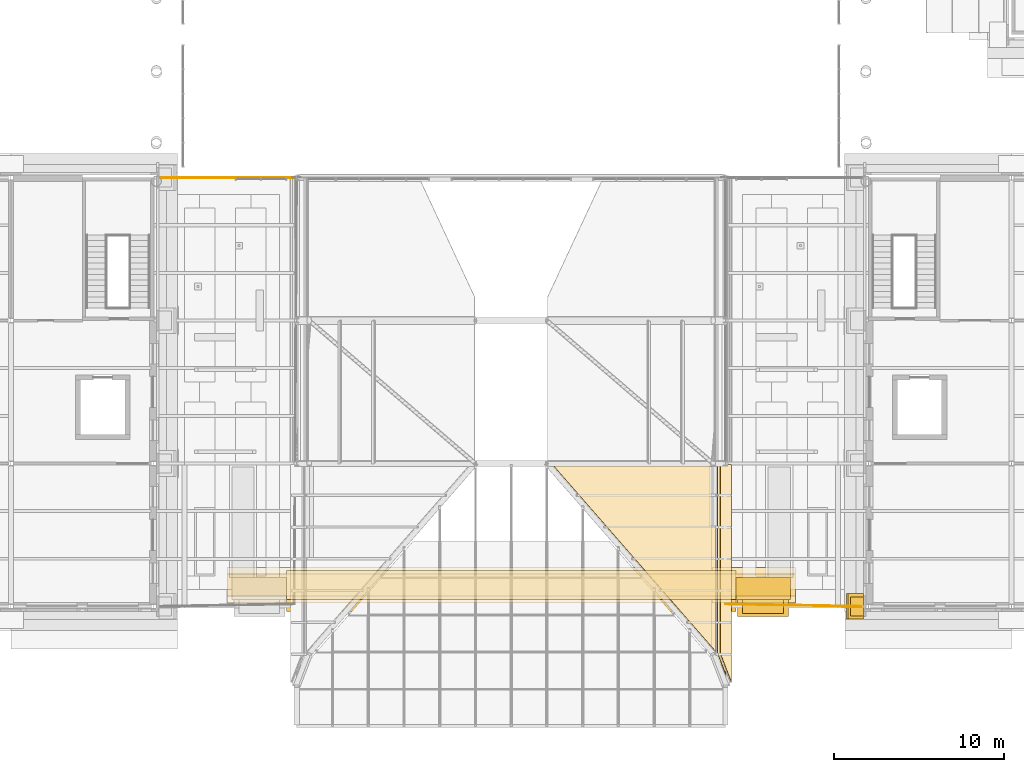
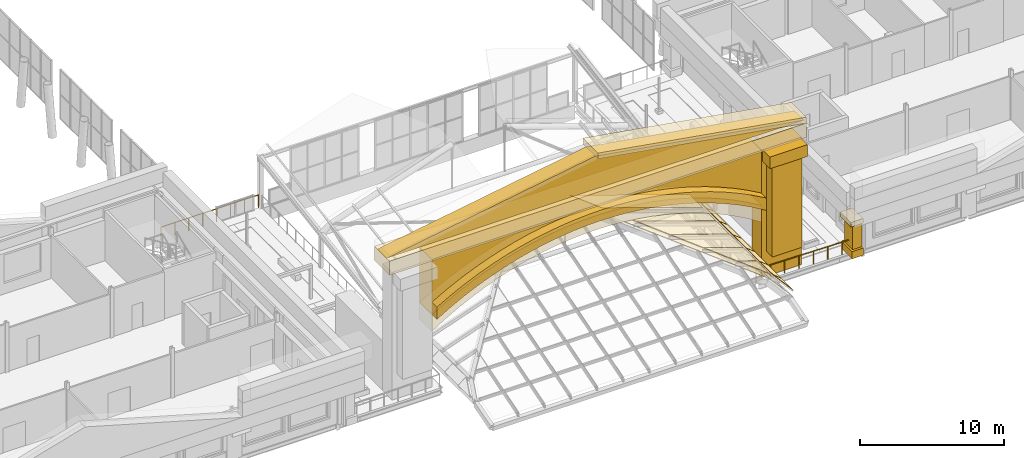
# One storey, part 58 of 76: 27 coverings, 2 railings.
"""IFC4 building model written with IfcOpenShell, lengths in metres."""

from ifc_helpers import new_model, si_unit, direction, frame, origin, origin_2d, place, context, subcontext, project, spatial, polyline, rectangle, circle, outline, extrude, material, layer, layer_set, type_object, element, save


model = new_model("IFC4")

# Units and contexts
model_context = context("Model", 3, precision=1e-05, world=origin(), true_north=direction((0.0, 1.0)))
body_context = subcontext(model_context, "Body", "Model", "MODEL_VIEW")
ifc_project = project(units=[si_unit("LENGTHUNIT", "METRE"), si_unit("AREAUNIT", "SQUARE_METRE"), si_unit("VOLUMEUNIT", "CUBIC_METRE"), si_unit("PLANEANGLEUNIT", "RADIAN"), si_unit("MASSUNIT", "GRAM", prefix="KILO")], contexts=[model_context])

# Site, building, storey
site_placement = place(None, origin())
site = spatial("IfcSite", under=ifc_project, at=site_placement, CompositionType="ELEMENT")
building_placement = place(site_placement, origin())
building = spatial("IfcBuilding", under=site, at=building_placement, Name="Sava Quay Ferry Terminal", CompositionType="ELEMENT")
storey_placement = place(building_placement, frame((0.0, 0.0, 10.800048828125)))
storey = spatial("IfcBuildingStorey", under=building, at=storey_placement, Name="L02", CompositionType="ELEMENT", Elevation=10.800048828125)

# Railings
ifc_material_1 = material(Name="Steel S355", Category="steel")
railing_type = type_object("IfcRailingType", Name="Edge guard 1100", PredefinedType="GUARDRAIL", material=ifc_material_1)
railing_1_placement = place(storey_placement, frame((42.419921875, 50.39990234375, 0.0)))
element("IfcRailing", 1, at=railing_1_placement, inside=storey, type_object=railing_type, Name="Terrace edge guard", PredefinedType="GUARDRAIL", context=body_context, shape_type="SweptSolid", body=[
    extrude(circle(Radius=0.02392578125, at=origin_2d()), frame((0.0, 0.0, 1.076171875), z_axis=(1.0, 0.0, 0.0), x_axis=(0.0, 1.0, 0.0)), (0.0, 0.0, 1.0), 7.820068359375),
    extrude(circle(Radius=0.02099609375, at=origin_2d()), origin(), (0.0, 0.0, 1.0), 1.052001953125),
    extrude(circle(Radius=0.02099609375, at=origin_2d()), frame((1.1171875, 0.0, 0.0)), (0.0, 0.0, 1.0), 1.052001953125),
    extrude(circle(Radius=0.02099609375, at=origin_2d()), frame((2.234375, 0.0, 0.0)), (0.0, 0.0, 1.0), 1.052001953125),
    extrude(circle(Radius=0.02099609375, at=origin_2d()), frame((3.3515625, 0.0, 0.0)), (0.0, 0.0, 1.0), 1.052001953125),
    extrude(circle(Radius=0.02099609375, at=origin_2d()), frame((4.468505859375, 0.0, 0.0)), (0.0, 0.0, 1.0), 1.052001953125),
    extrude(circle(Radius=0.02099609375, at=origin_2d()), frame((5.585693359375, 0.0, 0.0)), (0.0, 0.0, 1.0), 1.052001953125),
    extrude(circle(Radius=0.02099609375, at=origin_2d()), frame((6.702880859375, 0.0, 0.0)), (0.0, 0.0, 1.0), 1.052001953125),
    extrude(circle(Radius=0.02099609375, at=origin_2d()), frame((7.820068359375, 0.0, 0.0)), (0.0, 0.0, 1.0), 1.052001953125),
])
railing_2_placement = place(storey_placement, frame((83.580078125, 25.199951171875, 0.0)))
element("IfcRailing", 2, at=railing_2_placement, inside=storey, type_object=railing_type, Name="Terrace edge guard", PredefinedType="GUARDRAIL", context=body_context, shape_type="SweptSolid", body=[
    extrude(circle(Radius=0.02392578125, at=origin_2d()), frame((0.0, 0.0, 1.076171875), z_axis=(-0.999845840674, 0.017558328108, 0.0), x_axis=(-0.017558328108, -0.999845840674, 0.0)), (0.0, 0.0, 1.0), 7.981201171875),
    extrude(circle(Radius=0.02099609375, at=origin_2d()), origin(), (0.0, 0.0, 1.0), 1.052001953125),
    extrude(circle(Radius=0.02099609375, at=origin_2d()), frame((-1.139892578125, 0.02001953125, 0.0)), (0.0, 0.0, 1.0), 1.052001953125),
    extrude(circle(Radius=0.02099609375, at=origin_2d()), frame((-2.280029296875, 0.0400390625, 0.0)), (0.0, 0.0, 1.0), 1.052001953125),
    extrude(circle(Radius=0.02099609375, at=origin_2d()), frame((-3.419921875, 0.06005859375, 0.0)), (0.0, 0.0, 1.0), 1.052001953125),
    extrude(circle(Radius=0.02099609375, at=origin_2d()), frame((-4.56005859375, 0.080078125, 0.0)), (0.0, 0.0, 1.0), 1.052001953125),
    extrude(circle(Radius=0.02099609375, at=origin_2d()), frame((-5.699951171875, 0.10009765625, 0.0)), (0.0, 0.0, 1.0), 1.052001953125),
    extrude(circle(Radius=0.02099609375, at=origin_2d()), frame((-6.840087890625, 0.1201171875, 0.0)), (0.0, 0.0, 1.0), 1.052001953125),
    extrude(circle(Radius=0.02099609375, at=origin_2d()), frame((-7.97998046875, 0.14013671875, 0.0)), (0.0, 0.0, 1.0), 1.052001953125),
])

# Coverings
ifc_material_2 = material(Name="Limestone Mutalj", Category="masonry")
ifc_layer_1 = layer(ifc_material_2, 1.800048828125)
ifc_layer_set_1 = layer_set([ifc_layer_1], Name="Limestone Mutalj")
covering_type_1 = type_object("IfcCoveringType", Name="Frontispiece arch ring 1200", PredefinedType="CLADDING", material=ifc_layer_set_1)
covering_1_placement = place(storey_placement, frame((49.800048828125, 25.60009765625, 4.699951171875), z_axis=(0.0, -1.0, 0.0), x_axis=(0.846612356411, 0.0, 0.532210031822)))
element("IfcCovering", 3, at=covering_1_placement, inside=storey, type_object=covering_type_1, Name="Frontispiece arch ring", PredefinedType="CLADDING", context=body_context, shape_type="SweptSolid", body=[
    extrude(outline(polyline([(0.0, 0.0), (1.2991229188847893, -1.1102230246251565e-16), (2.555964082874732, -0.06771837172322348), (3.7738250199246073, -0.1974444843945411), (4.955357587540194, -0.3845011695879599), (6.103443918367348, -0.6252211385563666), (7.21922983654402, -0.916864213482238), (8.304558001997666, -1.2574166453770768), (9.360521063156462, -1.6446815754528137), (10.38782186617918, -2.0770822223308603), (11.387263598274878, -2.554258376781334), (12.359212479042702, -3.0747100158056737), (13.304081893422305, -3.638697007583481), (14.22192501712346, -4.245676033085299), (15.112275289496743, -4.895930543160984), (15.975546095481805, -5.589720405990135), (16.81054444560019, -6.328025908212113), (17.617293922522155, -7.111726995416003), (18.39467829514927, -7.942140580800789), (19.1411915301137, -8.82120365497494), (19.85581773736731, -9.75144970328616), (20.536584322892825, -10.735099167192764), (21.18143592392371, -11.776339071801072), (21.78730729801453, -12.879586717357475), (22.350483532270847, -14.0502928664575), (23.11020815533276, -12.841761995379137), (22.5229941144634, -11.709293953197104), (21.89711289054335, -10.637876947994057), (21.235499791928234, -9.62330037199343), (20.540700324704293, -8.661973694828138), (19.814250115278867, -7.750536661271176), (19.057991823579417, -6.886975522334047), (18.27281140556429, -6.06896348513888), (17.459825092331915, -5.295183636486685), (16.62014911498072, -4.564319063178478), (15.753500022660852, -3.875903204564829), (14.861200738940566, -3.2287490815365496), (13.94270794479041, -2.622803518383866), (12.998488200859807, -2.057783064256924), (12.028488331438988, -1.5342310381851796), (11.032424885678095, -1.0516808795192034), (10.009801709888183, -0.6118393037273862), (8.960075485039798, -0.2146531350999541), (7.8825433649741665, 0.1383008449845038), (6.776502503532512, 0.445445855147399), (5.640240174877178, 0.704974838870061), (4.4727404889600155, 0.914354310804794), (3.2716410494943697, 1.0707437520837921), (2.0348097353336616, 1.1702927641603706), (0.7597246230619139, 1.2085308710783622), (0.0, 0.0)])), origin(), (0.0, 0.0, -1.0), 1.699951171875),
])
ifc_material_3 = material(Name="Limestone Mutalj", Category="masonry")
ifc_layer_2 = layer(ifc_material_3, 0.699951171875)
ifc_layer_set_2 = layer_set([ifc_layer_2], Name="Limestone Mutalj")
covering_type_2 = type_object("IfcCoveringType", Name="Frontispiece archivolt 900", PredefinedType="CLADDING", material=ifc_layer_set_2)
covering_2_placement = place(storey_placement, frame((49.800048828125, 24.89990234375, 6.12744140625), z_axis=(0.0, -1.0, 0.0), x_axis=(0.862185024397, 0.0, 0.50659350934)))
element("IfcCovering", 4, at=covering_2_placement, inside=storey, type_object=covering_type_2, Name="Frontispiece archivolt", PredefinedType="CLADDING", context=body_context, shape_type="SweptSolid", body=[
    extrude(outline(polyline([(0.0, 0.0), (1.275658338411084, -1.1102230246251565e-16), (2.514917874639463, -0.06243001970966966), (3.720165395470233, -0.1827459968678582), (4.893416647520516, -0.3570353523855798), (6.0369478204116245, -0.5823880305139895), (7.151698405978019, -0.8562412328431637), (8.239326193561057, -1.1767373755778654), (9.300486449161957, -1.542279317927051), (10.335834438781934, -1.9512699190996767), (11.345914831258423, -2.403746044817001), (12.33117239820192, -2.8979868742319894), (13.29190444833788, -3.4344502618473474), (14.228147847387557, -4.012591538825638), (15.139444740848257, -4.632708013892314), (16.026339797557405, -5.294836552768638), (16.887546268341623, -6.000203256077679), (17.723361461926363, -6.749265978322141), (18.532709123528964, -7.543374500181088), (19.31451299836676, -8.383878602333578), (20.06795727466129, -9.273130588798818), (20.791260483015204, -10.21319853776276), (21.482988411370073, -11.207487225198221), (22.14070432432733, -12.2596618700822), (22.761600446320443, -13.374019174563866), (23.29515620786694, -12.465946372989649), (22.659171119042885, -11.377269384176053), (21.98871616031852, -10.34677566153643), (21.28622806709241, -9.370799986093772), (20.553896214651132, -8.446098127652528), (19.79290745494113, -7.569686299021323), (19.00491957730377, -6.739706916404926), (18.190377353349533, -5.954439158956299), (17.35048071791708, -5.21232275160566), (16.48605856567709, -4.512428902455387), (15.597184628072078, -3.8536682738306136), (14.684527253995476, -3.2358672370618784), (13.747912814777823, -2.6583574432557535), (12.787551804809839, -2.12126257246823), (11.803654718482244, -1.6247063047553003), (10.795553206901618, -1.1688622687864259), (9.763420898737413, -0.7543988134550315), (8.706342084984229, -0.3819105562120231), (7.623908859752825, -0.052573649067002126), (6.515342276985995, 0.2318042727982661), (5.379355587510357, 0.4699971087607109), (4.215132979547439, 0.6596525548011305), (3.020645623587913, 0.7982815439521229), (1.794125133126638, 0.8823924859061469), (0.5335557615464934, 0.908072801574217), (0.0, 0.0)])), origin(), (0.0, 0.0, -1.0), 0.699951171875),
])
ifc_material_4 = material(Name="Limestone Mutalj", Category="masonry")
ifc_layer_3 = layer(ifc_material_4, 1.800048828125)
ifc_layer_set_3 = layer_set([ifc_layer_3], Name="Limestone Mutalj")
covering_type_3 = type_object("IfcCoveringType", Name="Frontispiece attic 900", PredefinedType="CLADDING", material=ifc_layer_set_3)
covering_3_placement = place(storey_placement, frame((49.800048828125, 25.60009765625, 6.12744140625), z_axis=(0.0, -1.0, 0.0), x_axis=(0.862185024397, 0.0, 0.50659350934)))
element("IfcCovering", 5, at=covering_3_placement, inside=storey, type_object=covering_type_3, Name="Frontispiece attic", PredefinedType="CLADDING", context=body_context, shape_type="SweptSolid", body=[
    extrude(outline(polyline([(0.0, 0.0), (1.275658338411084, -1.1102230246251565e-16), (2.514917874639463, -0.06243001970966966), (3.720165395470233, -0.1827459968678582), (4.893416647520516, -0.3570353523855798), (6.0369478204116245, -0.5823880305139895), (7.151698405978019, -0.8562412328431637), (8.239326193561057, -1.1767373755778654), (9.300486449161957, -1.542279317927051), (10.335834438781934, -1.9512699190996767), (11.345914831258423, -2.403746044817001), (12.33117239820192, -2.8979868742319894), (13.29190444833788, -3.4344502618473474), (14.228147847387557, -4.012591538825638), (15.139444740848257, -4.632708013892314), (16.026339797557405, -5.294836552768638), (16.887546268341623, -6.000203256077679), (17.723361461926363, -6.749265978322141), (18.532709123528964, -7.543374500181088), (19.31451299836676, -8.383878602333578), (20.06795727466129, -9.273130588798818), (20.791260483015204, -10.21319853776276), (21.482988411370073, -11.207487225198221), (22.14070432432733, -12.2596618700822), (22.761600446320443, -13.374019174563866), (25.128713037938045, -9.345367030537687), (2.3671125916176026, 4.0286521440261795), (0.0, 0.0)])), origin(), (0.0, 0.0, -1.0), 1.699951171875),
])
ifc_material_5 = material(Name="Limestone Mutalj", Category="masonry")
ifc_layer_4 = layer(ifc_material_5, 0.800048828125)
ifc_layer_set_4 = layer_set([ifc_layer_4], Name="Limestone Mutalj")
covering_type_4 = type_object("IfcCoveringType", Name="Frontispiece engaged pilaster 2400", PredefinedType="CLADDING", material=ifc_layer_set_4)
covering_4_placement = place(storey_placement, frame((77.800048828125, 25.199951171875, 2.10009765625), z_axis=(0.0, 0.0, 1.0), x_axis=(1.0, 0.0, 0.0)))
element("IfcCovering", 6, at=covering_4_placement, inside=storey, type_object=covering_type_4, Name="Frontispiece engaged pilaster", PredefinedType="CLADDING", context=body_context, shape_type="SweptSolid", body=[
    extrude(rectangle(XDim=2.39990234375, YDim=0.800048828125, at=origin_2d()), origin(), (0.0, 0.0, 1.0), 7.699951171875),
])
ifc_material_6 = material(Name="Limestone Mutalj", Category="masonry")
ifc_layer_5 = layer(ifc_material_6, 2.39990234375)
ifc_layer_set_5 = layer_set([ifc_layer_5], Name="Limestone Mutalj")
covering_type_5 = type_object("IfcCoveringType", Name="Frontispiece entablature 1200", PredefinedType="MOLDING", material=ifc_layer_set_5)
covering_5_placement = place(storey_placement, frame((63.0, 26.449951171875, 10.7998046875), z_axis=(0.0, 0.0, 1.0), x_axis=(1.0, 0.0, 0.0)))
element("IfcCovering", 7, at=covering_5_placement, inside=storey, type_object=covering_type_5, Name="Frontispiece entablature", PredefinedType="MOLDING", context=body_context, shape_type="SweptSolid", body=[
    extrude(rectangle(XDim=33.39990234375, YDim=2.10009765625, at=origin_2d()), origin(), (0.0, 0.0, 1.0), 1.199951171875),
])
ifc_material_7 = material(Name="Limestone Mutalj", Category="masonry")
ifc_layer_6 = layer(ifc_material_7, 1.0)
ifc_layer_set_6 = layer_set([ifc_layer_6], Name="Limestone Mutalj")
covering_type_6 = type_object("IfcCoveringType", Name="Frontispiece pilaster capital 3000", PredefinedType="MOLDING", material=ifc_layer_set_6)
covering_6_placement = place(storey_placement, frame((77.800048828125, 25.10009765625, 9.800048828125), z_axis=(0.0, 0.0, 1.0), x_axis=(1.0, 0.0, 0.0)))
element("IfcCovering", 8, at=covering_6_placement, inside=storey, type_object=covering_type_6, Name="Frontispiece pilaster capital", PredefinedType="MOLDING", context=body_context, shape_type="SweptSolid", body=[
    extrude(rectangle(XDim=3.0, YDim=1.0, at=origin_2d()), origin(), (0.0, 0.0, 1.0), 1.0),
])
ifc_material_8 = material(Name="Limestone Mutalj", Category="masonry")
ifc_layer_7 = layer(ifc_material_8, 1.300048828125)
ifc_layer_set_7 = layer_set([ifc_layer_7], Name="Limestone Mutalj")
covering_type_7 = type_object("IfcCoveringType", Name="Frontispiece pylon 3200", PredefinedType="CLADDING", material=ifc_layer_set_7)
covering_7_placement = place(storey_placement, frame((77.800048828125, 26.25, 0.0), z_axis=(0.0, 0.0, 1.0), x_axis=(1.0, 0.0, 0.0)))
element("IfcCovering", 9, at=covering_7_placement, inside=storey, type_object=covering_type_7, Name="Frontispiece pylon", PredefinedType="CLADDING", context=body_context, shape_type="SweptSolid", body=[
    extrude(rectangle(XDim=3.199951171875, YDim=1.300048828125, at=origin_2d()), origin(), (0.0, 0.0, 1.0), 10.800048828125),
])
ifc_material_9 = material(Name="Limestone Mutalj", Category="masonry")
ifc_layer_8 = layer(ifc_material_9, 2.39990234375)
ifc_layer_set_8 = layer_set([ifc_layer_8], Name="Limestone Mutalj")
covering_type_8 = type_object("IfcCoveringType", Name="Frontispiece raking cornice 2400", PredefinedType="MOLDING", material=ifc_layer_set_8)
covering_8_placement = place(storey_placement, frame((63.0, 25.39990234375, 14.800048828125), z_axis=(0.0, -1.0, 0.0), x_axis=(0.986233299246, 0.0, -0.165359848385)))
element("IfcCovering", 10, at=covering_8_placement, inside=storey, type_object=covering_type_8, Name="Frontispiece raking cornice", PredefinedType="MOLDING", context=body_context, shape_type="SweptSolid", body=[
    extrude(outline(polyline([(0.0, 0.0), (16.933063591178456, 0.0), (16.850383666986126, 0.4931166496231403), (-0.08267992419232778, 0.4931166496231404), (0.0, 0.0)])), origin(), (0.0, 0.0, -1.0), 2.10009765625),
])
ifc_material_10 = material(Name="Limestone Mutalj", Category="masonry")
ifc_layer_9 = layer(ifc_material_10, 1.60009765625)
ifc_layer_set_9 = layer_set([ifc_layer_9], Name="Limestone Mutalj")
covering_type_9 = type_object("IfcCoveringType", Name="Frontispiece tympanum 1600", PredefinedType="CLADDING", material=ifc_layer_set_9)
covering_9_placement = place(storey_placement, frame((46.300048828125, 25.800048828125, 12.0), z_axis=(0.0, -1.0, 0.0), x_axis=(1.0, 0.0, 0.0)))
element("IfcCovering", 11, at=covering_9_placement, inside=storey, type_object=covering_type_9, Name="Frontispiece tympanum", PredefinedType="CLADDING", context=body_context, shape_type="SweptSolid", body=[
    extrude(outline(polyline([(0.0, 0.0), (33.39990234375, 0.0), (16.699951171875, 2.800048828125), (0.0, 0.0)])), origin(), (0.0, 0.0, -1.0), 1.300048828125),
])
ifc_material_11 = material(Name="Limestone Mutalj", Category="masonry")
ifc_layer_10 = layer(ifc_material_11, 0.89990234375)
ifc_layer_set_10 = layer_set([ifc_layer_10], Name="Limestone Mutalj")
covering_type_10 = type_object("IfcCoveringType", Name="Giant-order pilaster base 1500", PredefinedType="MOLDING", material=ifc_layer_set_10)
covering_10_placement = place(storey_placement, frame((83.25, 25.199951171875, 0.0), z_axis=(0.0, 0.0, 1.0), x_axis=(1.0, 0.0, 0.0)))
element("IfcCovering", 12, at=covering_10_placement, inside=storey, type_object=covering_type_10, Name="Giant-order pilaster base", PredefinedType="MOLDING", context=body_context, shape_type="SweptSolid", body=[
    extrude(rectangle(XDim=0.89990234375, YDim=1.5, at=origin_2d()), origin(), (0.0, 0.0, 1.0), 0.60009765625),
])
ifc_material_12 = material(Name="Limestone Mutalj", Category="masonry")
ifc_layer_11 = layer(ifc_material_12, 0.75)
ifc_layer_set_11 = layer_set([ifc_layer_11], Name="Limestone Mutalj")
covering_type_11 = type_object("IfcCoveringType", Name="Giant-order pilaster shaft 1100", PredefinedType="CLADDING", material=ifc_layer_set_11)
covering_11_placement = place(storey_placement, frame((83.324951171875, 25.199951171875, 0.599853515625), z_axis=(0.0, 0.0, 1.0), x_axis=(1.0, 0.0, 0.0)))
element("IfcCovering", 13, at=covering_11_placement, inside=storey, type_object=covering_type_11, Name="Giant-order pilaster", PredefinedType="CLADDING", context=body_context, shape_type="SweptSolid", body=[
    extrude(rectangle(XDim=0.75, YDim=1.10009765625, at=origin_2d()), origin(), (0.0, 0.0, 1.0), 2.10009765625),
])
ifc_material_13 = material(Name="Glulam GL28h", Category="wood")
ifc_layer_12 = layer(ifc_material_13, 0.06005859375)
ifc_layer_set_12 = layer_set([ifc_layer_12], Name="Glulam GL28h")
covering_type_12 = type_object("IfcCoveringType", Name="Glulam soffit lining 60", PredefinedType="CEILING", material=ifc_layer_set_12)
covering_12_placement = place(storey_placement, frame((74.793212890625, 22.82080078125, 2.304443359375), z_axis=(0.325554896469, 0.0, 0.945523140587), x_axis=(-0.641512811265, 0.734624469863, 0.220880513538)))
element("IfcCovering", 14, at=covering_12_placement, inside=storey, type_object=covering_type_12, Name="Arrivals hall stern timber soffit lining AS-F3", PredefinedType="CEILING", context=body_context, shape_type="SweptSolid", body=[
    extrude(outline(polyline([(0.0, 0.0), (14.455195900270128, -4.440892098500626e-16), (7.801080552039984, -7.204810187236646), (0.0, 0.0)])), origin(), (0.0, 0.0, -1.0), 0.06005859375),
])
covering_13_placement = place(storey_placement, frame((75.614501953125, 21.207275390625, 1.74462890625), z_axis=(0.615667483411, 0.0, 0.788006059539), x_axis=(-0.345817393259, 0.898559757141, 0.270186404851)))
element("IfcCovering", 15, at=covering_13_placement, inside=storey, type_object=covering_type_12, Name="Arrivals hall stern timber soffit lining AS-F4", PredefinedType="CEILING", context=body_context, shape_type="SweptSolid", body=[
    extrude(outline(polyline([(0.0, 0.0), (1.381605472823946, -1.1102230246251565e-16), (11.257865303506575, -4.823505947903907), (10.991781404183767, -5.36831998044703), (0.0, 0.0)])), origin(), (0.0, 0.0, -1.0), 0.06005859375),
])
ifc_material_14 = material(Name="Limestone Mutalj", Category="masonry")
ifc_layer_13 = layer(ifc_material_14, 1.0)
ifc_layer_set_13 = layer_set([ifc_layer_13], Name="Limestone Mutalj")
covering_type_13 = type_object("IfcCoveringType", Name="Pilaster capital block 1500", PredefinedType="MOLDING", material=ifc_layer_set_13)
covering_14_placement = place(storey_placement, frame((83.199951171875, 25.199951171875, 2.699951171875), z_axis=(0.0, 0.0, 1.0), x_axis=(1.0, 0.0, 0.0)))
element("IfcCovering", 16, at=covering_14_placement, inside=storey, type_object=covering_type_13, Name="Giant-order capital", PredefinedType="MOLDING", context=body_context, shape_type="SweptSolid", body=[
    extrude(rectangle(XDim=1.0, YDim=1.5, at=origin_2d()), origin(), (0.0, 0.0, 1.0), 0.39990234375),
])
ifc_material_15 = material(Name="Zinc standing seam sheet")
ifc_layer_14 = layer(ifc_material_15, 0.0400390625)
ifc_layer_set_14 = layer_set([ifc_layer_14], Name="Zinc standing seam sheet")
covering_type_14 = type_object("IfcCoveringType", Name="Standing seam roofing 40", PredefinedType="ROOFING", material=ifc_layer_set_14)
covering_15_placement = place(storey_placement, frame((73.522705078125, 24.2666015625, 3.175537109375), z_axis=(0.325627370029, 0.0, 0.945498183969), x_axis=(0.945498183969, 0.0, -0.325627370029)))
element("IfcCovering", 17, at=covering_15_placement, inside=storey, type_object=covering_type_14, Name="Arrivals hall stern roofing AS-F3", PredefinedType="ROOFING", context=body_context, shape_type="SweptSolid", body=[
    extrude(outline(polyline([(0.0, 0.0), (1.5947280762309584, 0.0), (1.5947280762309584, -1.72705078125), (0.0, 0.0)])), origin(), (0.0, 0.0, -1.0), 0.0400390625),
])
covering_16_placement = place(storey_placement, frame((71.894287109375, 26.131103515625, 3.736083984375), z_axis=(0.325586240369, 6.3491044e-05, 0.945512345795), x_axis=(0.945512347701, -2.242e-09, -0.325586241025)))
element("IfcCovering", 18, at=covering_16_placement, inside=storey, type_object=covering_type_14, Name="Arrivals hall stern roofing AS-F3", PredefinedType="ROOFING", context=body_context, shape_type="SweptSolid", body=[
    extrude(outline(polyline([(0.0, 0.0), (3.3169237213431804, -1.3552527156068805e-20), (3.3169237254789223, -1.84472655878185), (1.7035880958104272, -1.8447265698351312), (0.0, 0.0)])), origin(), (0.0, 0.0, -1.0), 0.0400390625),
])
covering_17_placement = place(storey_placement, frame((70.265869140625, 27.995849609375, 4.296875), z_axis=(0.325570192259, -6.913776e-06, 0.9455178739), x_axis=(0.945517873923, -1.7e-11, -0.325570192266)))
element("IfcCovering", 19, at=covering_17_placement, inside=storey, type_object=covering_type_14, Name="Arrivals hall stern roofing AS-F3", PredefinedType="ROOFING", context=body_context, shape_type="SweptSolid", body=[
    extrude(outline(polyline([(0.0, 0.0), (5.039198857301975, 1.6940658945086007e-21), (5.039198857334255, -1.8447265624559108), (1.7036675803477928, -1.8447265626024563), (0.0, 0.0)])), origin(), (0.0, 0.0, -1.0), 0.0400390625),
])
covering_18_placement = place(storey_placement, frame((68.6376953125, 29.860595703125, 4.857666015625), z_axis=(0.325594682481, 5.04668e-06, 0.945509440839), x_axis=(0.945509440851, -7e-12, -0.325594682485)))
element("IfcCovering", 20, at=covering_18_placement, inside=storey, type_object=covering_type_14, Name="Arrivals hall stern roofing AS-F3", PredefinedType="ROOFING", context=body_context, shape_type="SweptSolid", body=[
    extrude(outline(polyline([(0.0, 0.0), (6.761243154452762, 0.0), (6.761243154465581, -1.8447265624765083), (1.7036675804175436, -1.8447265625586362), (0.0, 0.0)])), origin(), (0.0, 0.0, -1.0), 0.0400390625),
])
covering_19_placement = place(storey_placement, frame((67.00927734375, 31.725341796875, 5.418212890625), z_axis=(0.325569672004, -7.167854e-06, 0.945518053037), x_axis=(0.945518053062, -1.1e-11, -0.325569672013)))
element("IfcCovering", 21, at=covering_19_placement, inside=storey, type_object=covering_type_14, Name="Arrivals hall stern roofing AS-F3", PredefinedType="ROOFING", context=body_context, shape_type="SweptSolid", body=[
    extrude(outline(polyline([(0.0, 0.0), (8.483438801958265, 0.0), (8.483438801978874, -1.8447265624526106), (1.7036675803218293, -1.844726562623134), (0.0, 0.0)])), origin(), (0.0, 0.0, -1.0), 0.0400390625),
])
covering_20_placement = place(storey_placement, frame((65.415771484375, 33.550048828125, 5.966796875), z_axis=(0.325572349845, 6.466656e-05, 0.94551712879), x_axis=(0.945517130767, -7.42e-10, -0.325572350526)))
element("IfcCovering", 22, at=covering_20_placement, inside=storey, type_object=covering_type_14, Name="Arrivals hall stern roofing AS-F3", PredefinedType="ROOFING", context=body_context, shape_type="SweptSolid", body=[
    extrude(outline(polyline([(0.0, 0.0), (10.168729667231478, 2.710505431213761e-20), (10.168729668570837, -1.8046874962266115), (1.6669141515096477, -1.8046875100830568), (0.0, 0.0)])), origin(), (0.0, 0.0, -1.0), 0.0400390625),
])
covering_21_placement = place(storey_placement, frame((75.3212890625, 22.374267578125, 2.493896484375), z_axis=(0.61556137146, 0.0, 0.78808895308), x_axis=(0.78808895308, 0.0, -0.61556137146)))
element("IfcCovering", 23, at=covering_21_placement, inside=storey, type_object=covering_type_14, Name="Arrivals hall stern roofing AS-F4", PredefinedType="ROOFING", context=body_context, shape_type="SweptSolid", body=[
    extrude(outline(polyline([(0.0, 0.0), (0.8023513288427848, 0.0), (0.8023513288427848, -1.6430664062500004), (0.0, 0.0)])), origin(), (0.0, 0.0, -1.0), 0.0400390625),
])
covering_22_placement = place(storey_placement, frame((75.302490234375, 22.42333984375, 2.508544921875), z_axis=(0.615536417543, 4.8242887e-05, 0.788108441999), x_axis=(-2.9695254e-05, 0.999999998836, -3.8020627e-05)))
element("IfcCovering", 24, at=covering_22_placement, inside=storey, type_object=covering_type_14, Name="Arrivals hall stern roofing AS-F4", PredefinedType="ROOFING", context=body_context, shape_type="SweptSolid", body=[
    extrude(outline(polyline([(0.0, 0.0), (1.8203124978817242, -6.167458647195374e-21), (1.8203124978141074, -0.8261834903546965), (-0.02905273440880832, -0.8261834903546965), (-0.02905274294952873, -0.014110537845029605), (0.0, 0.0)])), origin(), (0.0, 0.0, -1.0), 0.0400390625),
])
covering_23_placement = place(storey_placement, frame((75.302490234375, 26.11279296875, 2.508544921875), z_axis=(0.615535081264, 0.0, 0.788109487149), x_axis=(0.788109487149, 0.0, -0.615535081264)))
element("IfcCovering", 25, at=covering_23_placement, inside=storey, type_object=covering_type_14, Name="Arrivals hall stern roofing AS-F4", PredefinedType="ROOFING", context=body_context, shape_type="SweptSolid", body=[
    extrude(outline(polyline([(0.0, 0.0), (0.8261834903558853, 0.0), (0.8261834903558853, -1.8491210937499998), (0.0, -1.8491210937499998), (0.0, 0.0)])), origin(), (0.0, 0.0, -1.0), 0.0400390625),
])
covering_24_placement = place(storey_placement, frame((75.302490234375, 27.982177734375, 2.508544921875), z_axis=(0.615535081264, 0.0, 0.788109487149), x_axis=(0.788109487149, 0.0, -0.615535081264)))
element("IfcCovering", 26, at=covering_24_placement, inside=storey, type_object=covering_type_14, Name="Arrivals hall stern roofing AS-F4", PredefinedType="ROOFING", context=body_context, shape_type="SweptSolid", body=[
    extrude(outline(polyline([(0.0, 0.0), (0.8261834903558855, 0.0), (0.8261834903558855, -1.8493652343750004), (0.0, -1.8493652343750004), (0.0, 0.0)])), origin(), (0.0, 0.0, -1.0), 0.0400390625),
])
covering_25_placement = place(storey_placement, frame((75.302490234375, 29.851318359375, 2.508544921875), z_axis=(0.615535081264, 0.0, 0.788109487149), x_axis=(0.788109487149, 0.0, -0.615535081264)))
element("IfcCovering", 27, at=covering_25_placement, inside=storey, type_object=covering_type_14, Name="Arrivals hall stern roofing AS-F4", PredefinedType="ROOFING", context=body_context, shape_type="SweptSolid", body=[
    extrude(outline(polyline([(0.0, 0.0), (0.8261834903558853, 0.0), (0.8261834903558853, -1.8491210937499998), (0.0, -1.8491210937499998), (0.0, 0.0)])), origin(), (0.0, 0.0, -1.0), 0.0400390625),
])
covering_26_placement = place(storey_placement, frame((75.302490234375, 31.720703125, 2.508544921875), z_axis=(0.615535081264, 0.0, 0.788109487149), x_axis=(0.788109487149, 0.0, -0.615535081264)))
element("IfcCovering", 28, at=covering_26_placement, inside=storey, type_object=covering_type_14, Name="Arrivals hall stern roofing AS-F4", PredefinedType="ROOFING", context=body_context, shape_type="SweptSolid", body=[
    extrude(outline(polyline([(0.0, 0.0), (0.8261834903558855, 0.0), (0.8261834903558855, -1.8493652343750004), (0.0, -1.8493652343750004), (0.0, 0.0)])), origin(), (0.0, 0.0, -1.0), 0.0400390625),
])
covering_27_placement = place(storey_placement, frame((75.302490234375, 33.550048828125, 2.508544921875), z_axis=(0.615535081264, 0.0, 0.788109487149), x_axis=(0.788109487149, 0.0, -0.615535081264)))
element("IfcCovering", 29, at=covering_27_placement, inside=storey, type_object=covering_type_14, Name="Arrivals hall stern roofing AS-F4", PredefinedType="ROOFING", context=body_context, shape_type="SweptSolid", body=[
    extrude(outline(polyline([(0.0, 0.0), (0.8261834903558853, 0.0), (0.8261834903558853, -1.809326171875), (0.0, -1.809326171875), (0.0, 0.0)])), origin(), (0.0, 0.0, -1.0), 0.0400390625),
])

save(model, "model.ifc")
